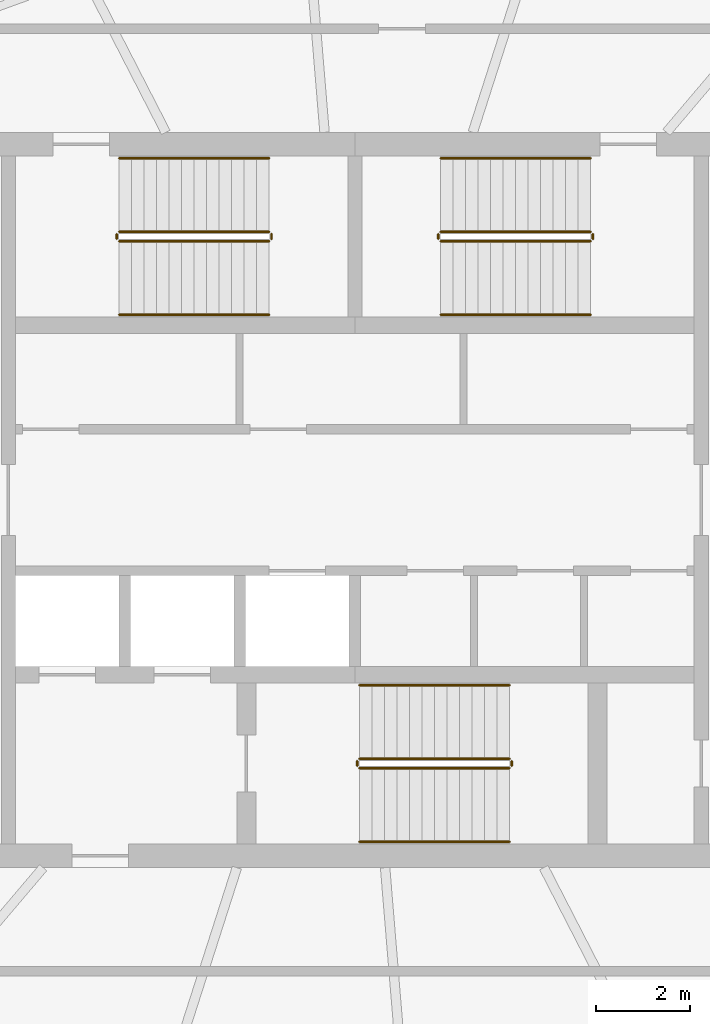
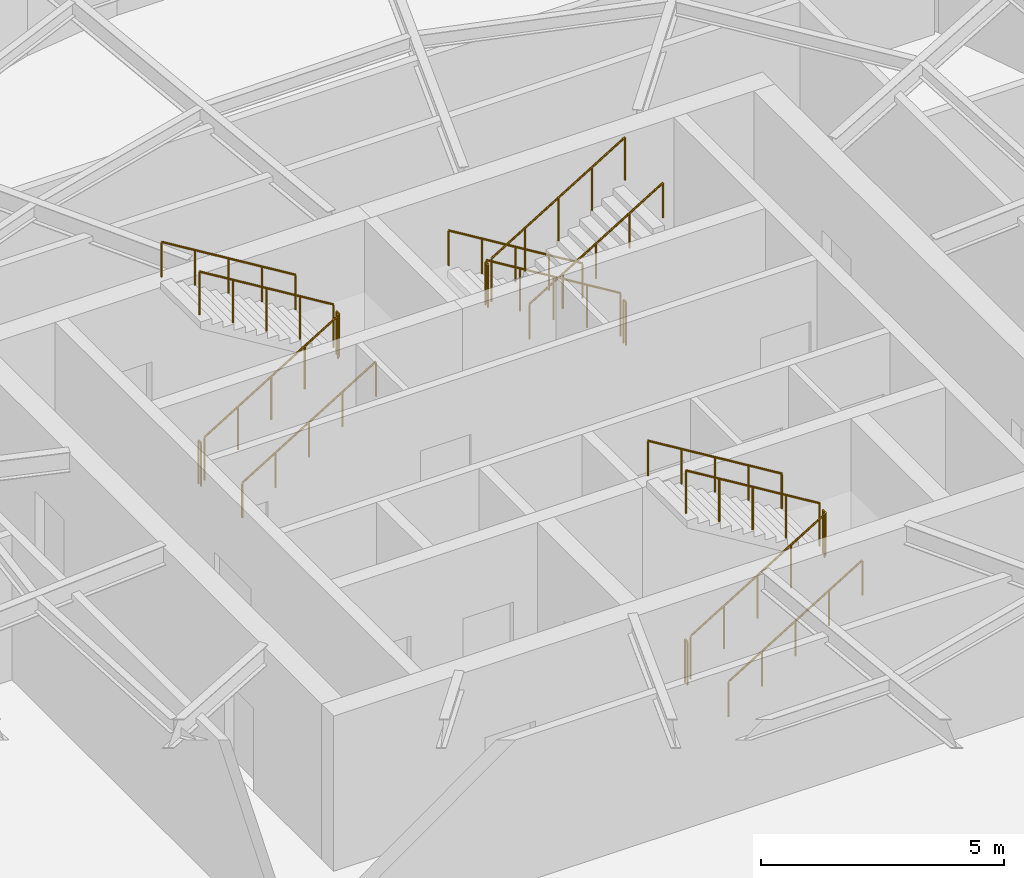
# One storey, part 11 of 11: 18 railings.
"""IFC4 building model written with IfcOpenShell, lengths in metres."""

from ifc_helpers import new_model, si_unit, direction, frame, origin, origin_2d, place, context, subcontext, project, spatial, circle, extrude, material, type_object, element, save


model = new_model("IFC4")

# Units and contexts
model_context = context("Model", 3, precision=1e-05, world=origin(), true_north=direction((0.0, 1.0)))
body_context = subcontext(model_context, "Body", "Model", "MODEL_VIEW")
ifc_project = project(units=[si_unit("LENGTHUNIT", "METRE"), si_unit("AREAUNIT", "SQUARE_METRE"), si_unit("VOLUMEUNIT", "CUBIC_METRE"), si_unit("PLANEANGLEUNIT", "RADIAN"), si_unit("MASSUNIT", "GRAM", prefix="KILO")], contexts=[model_context])

# Site, building, storey
site_placement = place(None, origin())
site = spatial("IfcSite", under=ifc_project, at=site_placement, CompositionType="ELEMENT")
building_placement = place(site_placement, origin())
building = spatial("IfcBuilding", under=site, at=building_placement, Name="Vermilion Reach Broadcast Tower", CompositionType="ELEMENT")
storey_placement = place(building_placement, frame((0.0, 0.0, 321.300048828125)))
storey = spatial("IfcBuildingStorey", under=building, at=storey_placement, Name="L80 CROWN", CompositionType="ELEMENT", Elevation=321.300048828125)

# Railings
ifc_material_1 = material(Name="Stainless steel", Category="steel")
railing_type_1 = type_object("IfcRailingType", Name="Stair guard 1100", PredefinedType="GUARDRAIL", material=ifc_material_1)
railing_1_placement = place(storey_placement, frame((-11.0, 5.489990234375, 0.161376953125)))
element("IfcRailing", 1, at=railing_1_placement, inside=storey, type_object=railing_type_1, Name="L80 CROWN ST1 stair guard 1", PredefinedType="GUARDRAIL", context=body_context, shape_type="SweptSolid", body=[
    extrude(circle(Radius=0.02392578125, at=origin_2d()), frame((0.0, 0.0, 1.076171875), z_axis=(0.853856579767, 0.0, 0.520508348818), x_axis=(0.0, 1.0, 0.0)), (0.0, 0.0, 1.0), 3.72412109375),
    extrude(circle(Radius=0.02099609375, at=origin_2d()), origin(), (0.0, 0.0, 1.0), 1.052001953125),
    extrude(circle(Radius=0.02099609375, at=origin_2d()), frame((0.794921875, 0.0, 0.484619140625)), (0.0, 0.0, 1.0), 1.052001953125),
    extrude(circle(Radius=0.02099609375, at=origin_2d()), frame((1.58984375, 0.0, 0.96923828125)), (0.0, 0.0, 1.0), 1.052001953125),
    extrude(circle(Radius=0.02099609375, at=origin_2d()), frame((2.385009765625, 0.0, 1.453857421875)), (0.0, 0.0, 1.0), 1.052001953125),
    extrude(circle(Radius=0.02099609375, at=origin_2d()), frame((3.179931640625, 0.0, 1.9384765625)), (0.0, 0.0, 1.0), 1.052001953125),
])
railing_2_placement = place(storey_placement, frame((-7.77001953125, 5.5400390625, 2.099853515625)))
element("IfcRailing", 2, at=railing_2_placement, inside=storey, type_object=railing_type_1, Name="L80 CROWN ST1 stair guard 2", PredefinedType="GUARDRAIL", context=body_context, shape_type="SweptSolid", body=[
    extrude(circle(Radius=0.02392578125, at=origin_2d()), frame((0.0, 0.0, 1.076171875), z_axis=(0.0, 1.0, 0.0), x_axis=(-1.0, 0.0, 0.0)), (0.0, 0.0, 1.0), 0.099853515625),
    extrude(circle(Radius=0.02099609375, at=origin_2d()), origin(), (0.0, 0.0, 1.0), 1.052001953125),
    extrude(circle(Radius=0.02099609375, at=origin_2d()), frame((0.0, 0.099853515625, 0.0)), (0.0, 0.0, 1.0), 1.052001953125),
])
railing_3_placement = place(storey_placement, frame((-7.820068359375, 5.68994140625, 2.261474609375)))
element("IfcRailing", 3, at=railing_3_placement, inside=storey, type_object=railing_type_1, Name="L80 CROWN ST1 stair guard 3", PredefinedType="GUARDRAIL", context=body_context, shape_type="SweptSolid", body=[
    extrude(circle(Radius=0.02392578125, at=origin_2d()), frame((0.0, 0.0, 1.076171875), z_axis=(-0.853856579767, 0.0, 0.520508348818), x_axis=(0.0, -1.0, 0.0)), (0.0, 0.0, 1.0), 3.72412109375),
    extrude(circle(Radius=0.02099609375, at=origin_2d()), origin(), (0.0, 0.0, 1.0), 1.052001953125),
    extrude(circle(Radius=0.02099609375, at=origin_2d()), frame((-0.794921875, 0.0, 0.484619140625)), (0.0, 0.0, 1.0), 1.052001953125),
    extrude(circle(Radius=0.02099609375, at=origin_2d()), frame((-1.58984375, 0.0, 0.96923828125)), (0.0, 0.0, 1.0), 1.052001953125),
    extrude(circle(Radius=0.02099609375, at=origin_2d()), frame((-2.385009765625, 0.0, 1.453857421875)), (0.0, 0.0, 1.0), 1.052001953125),
    extrude(circle(Radius=0.02099609375, at=origin_2d()), frame((-3.179931640625, 0.0, 1.9384765625)), (0.0, 0.0, 1.0), 1.052001953125),
])
railing_4_placement = place(storey_placement, frame((-11.050048828125, 5.5400390625, 0.0)))
element("IfcRailing", 4, at=railing_4_placement, inside=storey, type_object=railing_type_1, Name="L80 CROWN ST1 stair guard 4", PredefinedType="GUARDRAIL", context=body_context, shape_type="SweptSolid", body=[
    extrude(circle(Radius=0.02392578125, at=origin_2d()), frame((0.0, 0.0, 1.076171875), z_axis=(0.0, 1.0, 0.0), x_axis=(-1.0, 0.0, 0.0)), (0.0, 0.0, 1.0), 0.099853515625),
    extrude(circle(Radius=0.02099609375, at=origin_2d()), origin(), (0.0, 0.0, 1.0), 1.052001953125),
    extrude(circle(Radius=0.02099609375, at=origin_2d()), frame((0.0, 0.099853515625, 0.0)), (0.0, 0.0, 1.0), 1.052001953125),
])
railing_5_placement = place(storey_placement, frame((-1.0, 5.68994140625, 0.161376953125)))
element("IfcRailing", 5, at=railing_5_placement, inside=storey, type_object=railing_type_1, Name="L80 CROWN ST2 stair guard 1", PredefinedType="GUARDRAIL", context=body_context, shape_type="SweptSolid", body=[
    extrude(circle(Radius=0.02392578125, at=origin_2d()), frame((0.0, 0.0, 1.076171875), z_axis=(-0.853856579767, 0.0, 0.520508348818), x_axis=(0.0, -1.0, 0.0)), (0.0, 0.0, 1.0), 3.72412109375),
    extrude(circle(Radius=0.02099609375, at=origin_2d()), origin(), (0.0, 0.0, 1.0), 1.052001953125),
    extrude(circle(Radius=0.02099609375, at=origin_2d()), frame((-0.794921875, 0.0, 0.484619140625)), (0.0, 0.0, 1.0), 1.052001953125),
    extrude(circle(Radius=0.02099609375, at=origin_2d()), frame((-1.58984375, 0.0, 0.96923828125)), (0.0, 0.0, 1.0), 1.052001953125),
    extrude(circle(Radius=0.02099609375, at=origin_2d()), frame((-2.385009765625, 0.0, 1.453857421875)), (0.0, 0.0, 1.0), 1.052001953125),
    extrude(circle(Radius=0.02099609375, at=origin_2d()), frame((-3.179931640625, 0.0, 1.9384765625)), (0.0, 0.0, 1.0), 1.052001953125),
])
railing_6_placement = place(storey_placement, frame((-4.22998046875, 5.639892578125, 2.099853515625)))
element("IfcRailing", 6, at=railing_6_placement, inside=storey, type_object=railing_type_1, Name="L80 CROWN ST2 stair guard 2", PredefinedType="GUARDRAIL", context=body_context, shape_type="SweptSolid", body=[
    extrude(circle(Radius=0.02392578125, at=origin_2d()), frame((0.0, 0.0, 1.076171875), z_axis=(0.0, -1.0, 0.0), x_axis=(1.0, 0.0, 0.0)), (0.0, 0.0, 1.0), 0.099853515625),
    extrude(circle(Radius=0.02099609375, at=origin_2d()), origin(), (0.0, 0.0, 1.0), 1.052001953125),
    extrude(circle(Radius=0.02099609375, at=origin_2d()), frame((0.0, -0.099853515625, 0.0)), (0.0, 0.0, 1.0), 1.052001953125),
])
railing_7_placement = place(storey_placement, frame((-4.179931640625, 5.489990234375, 2.261474609375)))
element("IfcRailing", 7, at=railing_7_placement, inside=storey, type_object=railing_type_1, Name="L80 CROWN ST2 stair guard 3", PredefinedType="GUARDRAIL", context=body_context, shape_type="SweptSolid", body=[
    extrude(circle(Radius=0.02392578125, at=origin_2d()), frame((0.0, 0.0, 1.076171875), z_axis=(0.853856579767, 0.0, 0.520508348818), x_axis=(0.0, 1.0, 0.0)), (0.0, 0.0, 1.0), 3.72412109375),
    extrude(circle(Radius=0.02099609375, at=origin_2d()), origin(), (0.0, 0.0, 1.0), 1.052001953125),
    extrude(circle(Radius=0.02099609375, at=origin_2d()), frame((0.794921875, 0.0, 0.484619140625)), (0.0, 0.0, 1.0), 1.052001953125),
    extrude(circle(Radius=0.02099609375, at=origin_2d()), frame((1.58984375, 0.0, 0.96923828125)), (0.0, 0.0, 1.0), 1.052001953125),
    extrude(circle(Radius=0.02099609375, at=origin_2d()), frame((2.385009765625, 0.0, 1.453857421875)), (0.0, 0.0, 1.0), 1.052001953125),
    extrude(circle(Radius=0.02099609375, at=origin_2d()), frame((3.179931640625, 0.0, 1.9384765625)), (0.0, 0.0, 1.0), 1.052001953125),
])
railing_8_placement = place(storey_placement, frame((-0.949951171875, 5.639892578125, 0.0)))
element("IfcRailing", 8, at=railing_8_placement, inside=storey, type_object=railing_type_1, Name="L80 CROWN ST2 stair guard 4", PredefinedType="GUARDRAIL", context=body_context, shape_type="SweptSolid", body=[
    extrude(circle(Radius=0.02392578125, at=origin_2d()), frame((0.0, 0.0, 1.076171875), z_axis=(0.0, -1.0, 0.0), x_axis=(1.0, 0.0, 0.0)), (0.0, 0.0, 1.0), 0.099853515625),
    extrude(circle(Radius=0.02099609375, at=origin_2d()), origin(), (0.0, 0.0, 1.0), 1.052001953125),
    extrude(circle(Radius=0.02099609375, at=origin_2d()), frame((0.0, -0.099853515625, 0.0)), (0.0, 0.0, 1.0), 1.052001953125),
])
railing_9_placement = place(storey_placement, frame((-5.89990234375, -5.68994140625, 0.161376953125)))
element("IfcRailing", 9, at=railing_9_placement, inside=storey, type_object=railing_type_1, Name="L80 CROWN ST3 stair guard 1", PredefinedType="GUARDRAIL", context=body_context, shape_type="SweptSolid", body=[
    extrude(circle(Radius=0.02392578125, at=origin_2d()), frame((0.0, 0.0, 1.076171875), z_axis=(0.853856579767, 0.0, 0.520508348818), x_axis=(0.0, 1.0, 0.0)), (0.0, 0.0, 1.0), 3.72412109375),
    extrude(circle(Radius=0.02099609375, at=origin_2d()), origin(), (0.0, 0.0, 1.0), 1.052001953125),
    extrude(circle(Radius=0.02099609375, at=origin_2d()), frame((0.794921875, 0.0, 0.484619140625)), (0.0, 0.0, 1.0), 1.052001953125),
    extrude(circle(Radius=0.02099609375, at=origin_2d()), frame((1.58984375, 0.0, 0.96923828125)), (0.0, 0.0, 1.0), 1.052001953125),
    extrude(circle(Radius=0.02099609375, at=origin_2d()), frame((2.385009765625, 0.0, 1.453857421875)), (0.0, 0.0, 1.0), 1.052001953125),
    extrude(circle(Radius=0.02099609375, at=origin_2d()), frame((3.179931640625, 0.0, 1.9384765625)), (0.0, 0.0, 1.0), 1.052001953125),
])
railing_10_placement = place(storey_placement, frame((-2.669921875, -5.639892578125, 2.099853515625)))
element("IfcRailing", 10, at=railing_10_placement, inside=storey, type_object=railing_type_1, Name="L80 CROWN ST3 stair guard 2", PredefinedType="GUARDRAIL", context=body_context, shape_type="SweptSolid", body=[
    extrude(circle(Radius=0.02392578125, at=origin_2d()), frame((0.0, 0.0, 1.076171875), z_axis=(0.0, 1.0, 0.0), x_axis=(-1.0, 0.0, 0.0)), (0.0, 0.0, 1.0), 0.099853515625),
    extrude(circle(Radius=0.02099609375, at=origin_2d()), origin(), (0.0, 0.0, 1.0), 1.052001953125),
    extrude(circle(Radius=0.02099609375, at=origin_2d()), frame((0.0, 0.099853515625, 0.0)), (0.0, 0.0, 1.0), 1.052001953125),
])
railing_11_placement = place(storey_placement, frame((-2.719970703125, -5.489990234375, 2.261474609375)))
element("IfcRailing", 11, at=railing_11_placement, inside=storey, type_object=railing_type_1, Name="L80 CROWN ST3 stair guard 3", PredefinedType="GUARDRAIL", context=body_context, shape_type="SweptSolid", body=[
    extrude(circle(Radius=0.02392578125, at=origin_2d()), frame((0.0, 0.0, 1.076171875), z_axis=(-0.853856579767, 0.0, 0.520508348818), x_axis=(0.0, -1.0, 0.0)), (0.0, 0.0, 1.0), 3.72412109375),
    extrude(circle(Radius=0.02099609375, at=origin_2d()), origin(), (0.0, 0.0, 1.0), 1.052001953125),
    extrude(circle(Radius=0.02099609375, at=origin_2d()), frame((-0.794921875, 0.0, 0.484619140625)), (0.0, 0.0, 1.0), 1.052001953125),
    extrude(circle(Radius=0.02099609375, at=origin_2d()), frame((-1.58984375, 0.0, 0.96923828125)), (0.0, 0.0, 1.0), 1.052001953125),
    extrude(circle(Radius=0.02099609375, at=origin_2d()), frame((-2.385009765625, 0.0, 1.453857421875)), (0.0, 0.0, 1.0), 1.052001953125),
    extrude(circle(Radius=0.02099609375, at=origin_2d()), frame((-3.179931640625, 0.0, 1.9384765625)), (0.0, 0.0, 1.0), 1.052001953125),
])
railing_12_placement = place(storey_placement, frame((-5.949951171875, -5.639892578125, 0.0)))
element("IfcRailing", 12, at=railing_12_placement, inside=storey, type_object=railing_type_1, Name="L80 CROWN ST3 stair guard 4", PredefinedType="GUARDRAIL", context=body_context, shape_type="SweptSolid", body=[
    extrude(circle(Radius=0.02392578125, at=origin_2d()), frame((0.0, 0.0, 1.076171875), z_axis=(0.0, 1.0, 0.0), x_axis=(-1.0, 0.0, 0.0)), (0.0, 0.0, 1.0), 0.099853515625),
    extrude(circle(Radius=0.02099609375, at=origin_2d()), origin(), (0.0, 0.0, 1.0), 1.052001953125),
    extrude(circle(Radius=0.02099609375, at=origin_2d()), frame((0.0, 0.099853515625, 0.0)), (0.0, 0.0, 1.0), 1.052001953125),
])
ifc_material_2 = material(Name="Stainless steel", Category="steel")
railing_type_2 = type_object("IfcRailingType", Name="Stair handrail", PredefinedType="HANDRAIL", material=ifc_material_2)
railing_13_placement = place(storey_placement, frame((-11.0, 3.929931640625, 0.161376953125)))
element("IfcRailing", 13, at=railing_13_placement, inside=storey, type_object=railing_type_2, Name="L80 CROWN ST1 stair handrail 1", PredefinedType="HANDRAIL", context=body_context, shape_type="SweptSolid", body=[
    extrude(circle(Radius=0.02392578125, at=origin_2d()), frame((0.0, 0.0, 0.8759765625), z_axis=(0.853856579767, 0.0, 0.520508348818), x_axis=(0.0, 1.0, 0.0)), (0.0, 0.0, 1.0), 3.72412109375),
    extrude(circle(Radius=0.02099609375, at=origin_2d()), origin(), (0.0, 0.0, 1.0), 0.851806640625),
    extrude(circle(Radius=0.02099609375, at=origin_2d()), frame((0.794921875, 0.0, 0.484619140625)), (0.0, 0.0, 1.0), 0.851806640625),
    extrude(circle(Radius=0.02099609375, at=origin_2d()), frame((1.58984375, 0.0, 0.96923828125)), (0.0, 0.0, 1.0), 0.851806640625),
    extrude(circle(Radius=0.02099609375, at=origin_2d()), frame((2.385009765625, 0.0, 1.453857421875)), (0.0, 0.0, 1.0), 0.851806640625),
    extrude(circle(Radius=0.02099609375, at=origin_2d()), frame((3.179931640625, 0.0, 1.9384765625)), (0.0, 0.0, 1.0), 0.851806640625),
])
for number, where, name in (
    (14, (-7.820068359375, 7.25, 2.261474609375), "L80 CROWN ST1 stair handrail 2"),
    (15, (-1.0, 7.25, 0.161376953125), "L80 CROWN ST2 stair handrail 1"),
):
    element("IfcRailing", number, at=place(storey_placement, frame(where)), inside=storey, type_object=railing_type_2, Name=name, PredefinedType="HANDRAIL", context=body_context, shape_type="SweptSolid", body=[
        extrude(circle(Radius=0.02392578125, at=origin_2d()), frame((0.0, 0.0, 0.8759765625), z_axis=(-0.853856579767, 0.0, 0.520508348818), x_axis=(0.0, -1.0, 0.0)), (0.0, 0.0, 1.0), 3.72412109375),
        extrude(circle(Radius=0.02099609375, at=origin_2d()), origin(), (0.0, 0.0, 1.0), 0.851806640625),
        extrude(circle(Radius=0.02099609375, at=origin_2d()), frame((-0.794921875, 0.0, 0.484619140625)), (0.0, 0.0, 1.0), 0.851806640625),
        extrude(circle(Radius=0.02099609375, at=origin_2d()), frame((-1.58984375, 0.0, 0.96923828125)), (0.0, 0.0, 1.0), 0.851806640625),
        extrude(circle(Radius=0.02099609375, at=origin_2d()), frame((-2.385009765625, 0.0, 1.453857421875)), (0.0, 0.0, 1.0), 0.851806640625),
        extrude(circle(Radius=0.02099609375, at=origin_2d()), frame((-3.179931640625, 0.0, 1.9384765625)), (0.0, 0.0, 1.0), 0.851806640625),
    ])
for number, where, name in (
    (16, (-4.179931640625, 3.929931640625, 2.261474609375), "L80 CROWN ST2 stair handrail 2"),
    (17, (-5.89990234375, -7.25, 0.161376953125), "L80 CROWN ST3 stair handrail 1"),
):
    element("IfcRailing", number, at=place(storey_placement, frame(where)), inside=storey, type_object=railing_type_2, Name=name, PredefinedType="HANDRAIL", context=body_context, shape_type="SweptSolid", body=[
        extrude(circle(Radius=0.02392578125, at=origin_2d()), frame((0.0, 0.0, 0.8759765625), z_axis=(0.853856579767, 0.0, 0.520508348818), x_axis=(0.0, 1.0, 0.0)), (0.0, 0.0, 1.0), 3.72412109375),
        extrude(circle(Radius=0.02099609375, at=origin_2d()), origin(), (0.0, 0.0, 1.0), 0.851806640625),
        extrude(circle(Radius=0.02099609375, at=origin_2d()), frame((0.794921875, 0.0, 0.484619140625)), (0.0, 0.0, 1.0), 0.851806640625),
        extrude(circle(Radius=0.02099609375, at=origin_2d()), frame((1.58984375, 0.0, 0.96923828125)), (0.0, 0.0, 1.0), 0.851806640625),
        extrude(circle(Radius=0.02099609375, at=origin_2d()), frame((2.385009765625, 0.0, 1.453857421875)), (0.0, 0.0, 1.0), 0.851806640625),
        extrude(circle(Radius=0.02099609375, at=origin_2d()), frame((3.179931640625, 0.0, 1.9384765625)), (0.0, 0.0, 1.0), 0.851806640625),
    ])
railing_14_placement = place(storey_placement, frame((-2.719970703125, -3.929931640625, 2.261474609375)))
element("IfcRailing", 18, at=railing_14_placement, inside=storey, type_object=railing_type_2, Name="L80 CROWN ST3 stair handrail 2", PredefinedType="HANDRAIL", context=body_context, shape_type="SweptSolid", body=[
    extrude(circle(Radius=0.02392578125, at=origin_2d()), frame((0.0, 0.0, 0.8759765625), z_axis=(-0.853856579767, 0.0, 0.520508348818), x_axis=(0.0, -1.0, 0.0)), (0.0, 0.0, 1.0), 3.72412109375),
    extrude(circle(Radius=0.02099609375, at=origin_2d()), origin(), (0.0, 0.0, 1.0), 0.851806640625),
    extrude(circle(Radius=0.02099609375, at=origin_2d()), frame((-0.794921875, 0.0, 0.484619140625)), (0.0, 0.0, 1.0), 0.851806640625),
    extrude(circle(Radius=0.02099609375, at=origin_2d()), frame((-1.58984375, 0.0, 0.96923828125)), (0.0, 0.0, 1.0), 0.851806640625),
    extrude(circle(Radius=0.02099609375, at=origin_2d()), frame((-2.385009765625, 0.0, 1.453857421875)), (0.0, 0.0, 1.0), 0.851806640625),
    extrude(circle(Radius=0.02099609375, at=origin_2d()), frame((-3.179931640625, 0.0, 1.9384765625)), (0.0, 0.0, 1.0), 0.851806640625),
])

save(model, "model.ifc")
